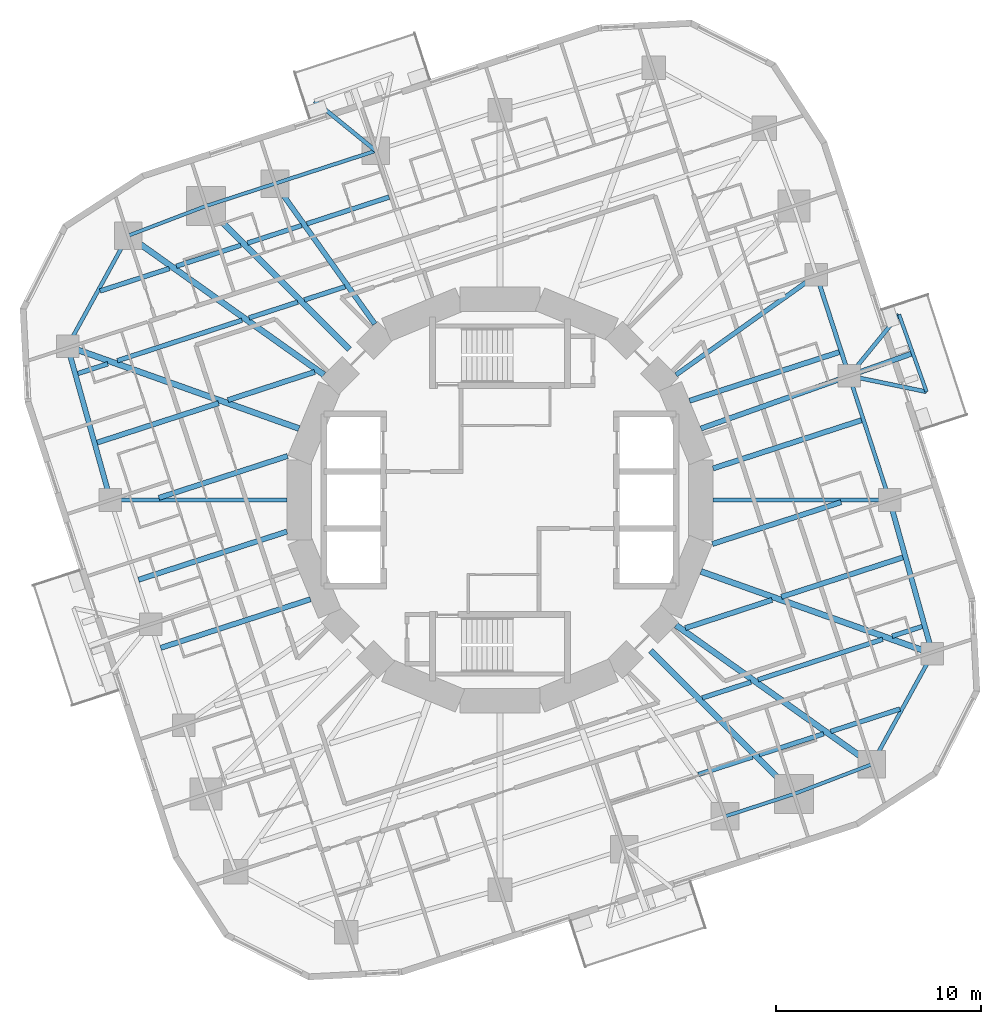
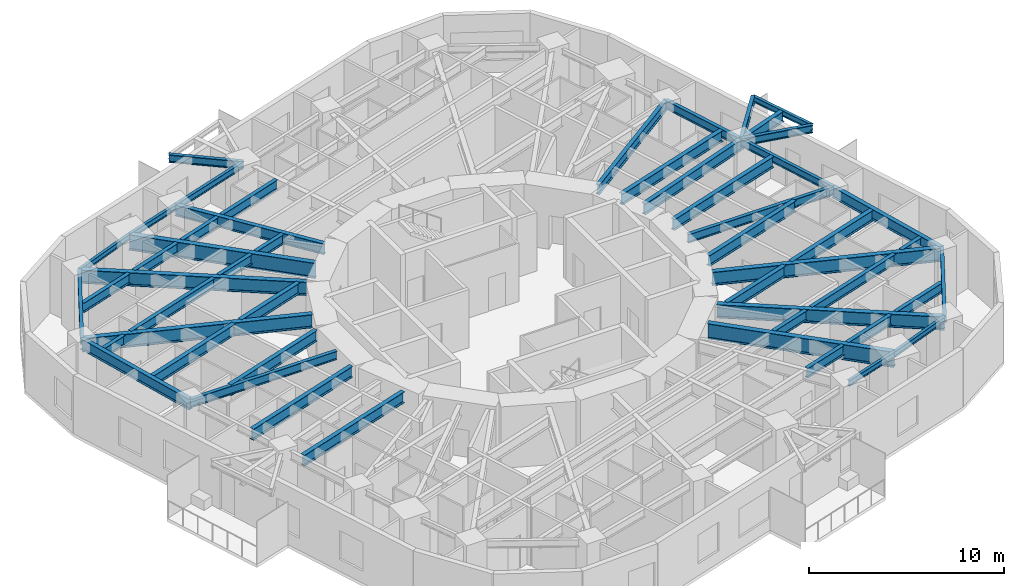
# One storey, part 2 of 13: 50 beams.
"""IFC4 building model written with IfcOpenShell, lengths in metres."""

from ifc_helpers import new_model, si_unit, direction, frame, origin, origin_2d, place, context, subcontext, project, spatial, i_section, extrude, material, material_profile, profile_set, type_object, element, save


model = new_model("IFC4")

# Units and contexts
model_context = context("Model", 3, precision=1e-05, world=origin(), true_north=direction((0.0, 1.0)))
body_context = subcontext(model_context, "Body", "Model", "MODEL_VIEW")
ifc_project = project(units=[si_unit("LENGTHUNIT", "METRE"), si_unit("AREAUNIT", "SQUARE_METRE"), si_unit("VOLUMEUNIT", "CUBIC_METRE"), si_unit("PLANEANGLEUNIT", "RADIAN"), si_unit("MASSUNIT", "GRAM", prefix="KILO")], contexts=[model_context])

# Site, building, storey
site_placement = place(None, origin())
site = spatial("IfcSite", under=ifc_project, at=site_placement, CompositionType="ELEMENT")
building_placement = place(site_placement, origin())
building = spatial("IfcBuilding", under=site, at=building_placement, Name="Nakasero Lantern House", CompositionType="ELEMENT")
storey_placement = place(building_placement, frame((0.0, 0.0, 161.050048828125)))
storey = spatial("IfcBuildingStorey", under=building, at=storey_placement, Name="L39", CompositionType="ELEMENT", Elevation=161.050048828125)

# Beams
ifc_material_1 = material(Name="Steel S355", Category="steel")
ifc_material_profile_1 = material_profile(ifc_material_1, i_section(OverallWidth=0.199462890625, OverallDepth=0.491943359375, WebThickness=0.01806640625, FlangeThickness=0.031982421875, FilletRadius=0.01025390625, at=origin_2d()), Name="UB 457x191x161")
ifc_profile_set_1 = profile_set([ifc_material_profile_1], Name="Steel S355")
beam_type_1 = type_object("IfcBeamType", Name="Balcony splay beam UB 457x191x161", PredefinedType="BEAM", material=ifc_profile_set_1)
for number, where, z_axis, x_axis, name in (
    (1, (17.060546875, 6.06591796875, 3.404052734375), (0.632127727159, 0.774864205236, 0.0), (-0.774864205236, 0.632127727159, 0.0), "Balcony splay beam L40 B4-C04A"),
    (2, (17.060546875, 6.06591796875, 3.404052734375), (0.979420272605, -0.201831438605, 0.0), (0.201831438605, 0.979420272605, 0.0), "Balcony splay beam L40 B4-C04B"),
    (3, (-6.06591796875, 17.060546875, 3.404052734375), (-0.774864205236, 0.632127727159, 0.0), (-0.632127727159, -0.774864205236, 0.0), "Balcony splay beam L40 B4-C10A"),
):
    element("IfcBeam", number, at=place(storey_placement, frame(where, z_axis=z_axis, x_axis=x_axis)), inside=storey, type_object=beam_type_1, Name=name, PredefinedType="BEAM", context=body_context, shape_type="SweptSolid", body=[
        extrude(i_section(OverallWidth=0.199462890625, OverallDepth=0.491943359375, WebThickness=0.01806640625, FlangeThickness=0.031982421875, FilletRadius=0.01025390625, at=origin_2d()), origin(), (0.0, 0.0, 1.0), 3.858642578125),
    ])
ifc_material_2 = material(Name="Steel S355", Category="steel")
ifc_material_profile_2 = material_profile(ifc_material_2, i_section(OverallWidth=0.17138671875, OverallDepth=0.35498046875, WebThickness=0.00732421875, FlangeThickness=0.011474609375, FilletRadius=0.01025390625, at=origin_2d()), Name="UB 356x171x51")
ifc_profile_set_2 = profile_set([ifc_material_profile_2], Name="Steel S355")
beam_type_2 = type_object("IfcBeamType", Name="Balcony tie beam UB 356x171x51", PredefinedType="BEAM", material=ifc_profile_set_2)
beam_1_placement = place(storey_placement, frame((19.499755859375, 9.055908203125, 3.472412109375), z_axis=(0.335025321236, -0.942209124415, 0.0), x_axis=(0.942209124415, 0.335025321236, 0.0)))
element("IfcBeam", 4, at=beam_1_placement, inside=storey, type_object=beam_type_2, Name="Balcony tie beam L40 B4-C04", PredefinedType="BEAM", context=body_context, shape_type="SweptSolid", body=[
    extrude(i_section(OverallWidth=0.17138671875, OverallDepth=0.35498046875, WebThickness=0.00732421875, FlangeThickness=0.011474609375, FilletRadius=0.01025390625, at=origin_2d()), origin(), (0.0, 0.0, 1.0), 4.0),
])
ifc_material_3 = material(Name="Steel S355", Category="steel")
ifc_material_profile_3 = material_profile(ifc_material_3, i_section(OverallWidth=0.22900390625, OverallDepth=0.6123046875, WebThickness=0.011962890625, FlangeThickness=0.01953125, FilletRadius=0.0126953125, at=origin_2d()), Name="UB 610x229x125")
ifc_profile_set_3 = profile_set([ifc_material_profile_3], Name="Steel S355")
beam_type_3 = type_object("IfcBeamType", Name="Infill beam UB 610x229x125", PredefinedType="JOIST", material=ifc_profile_set_3)
beam_2_placement = place(storey_placement, frame((9.692626953125, -13.4111328125, 3.34375), z_axis=(0.951059855583, 0.309006716915, 0.0), x_axis=(-0.309006716915, 0.951059855583, 0.0)))
element("IfcBeam", 5, at=beam_2_placement, inside=storey, type_object=beam_type_3, Name="Infill beam L40 03.5", PredefinedType="JOIST", context=body_context, shape_type="SweptSolid", body=[
    extrude(i_section(OverallWidth=0.22900390625, OverallDepth=0.6123046875, WebThickness=0.011962890625, FlangeThickness=0.01953125, FilletRadius=0.0126953125, at=origin_2d()), origin(), (0.0, 0.0, 1.0), 2.78271484375),
])
beam_3_placement = place(storey_placement, frame((12.659423828125, -12.447265625, 3.34375), z_axis=(0.951057343237, 0.309014449297, 0.0), x_axis=(-0.309014449297, 0.951057343237, 0.0)))
element("IfcBeam", 6, at=beam_3_placement, inside=storey, type_object=beam_type_3, Name="Infill beam L40 03.6", PredefinedType="JOIST", context=body_context, shape_type="SweptSolid", body=[
    extrude(i_section(OverallWidth=0.22900390625, OverallDepth=0.6123046875, WebThickness=0.011962890625, FlangeThickness=0.01953125, FilletRadius=0.0126953125, at=origin_2d()), origin(), (0.0, 0.0, 1.0), 3.314208984375),
])
beam_4_placement = place(storey_placement, frame((16.15771484375, -11.310546875, 3.34375), z_axis=(0.951052231022, 0.309030182777, 0.0), x_axis=(-0.309030182777, 0.951052231022, 0.0)))
element("IfcBeam", 7, at=beam_4_placement, inside=storey, type_object=beam_type_3, Name="Infill beam L40 03.7", PredefinedType="JOIST", context=body_context, shape_type="SweptSolid", body=[
    extrude(i_section(OverallWidth=0.22900390625, OverallDepth=0.6123046875, WebThickness=0.011962890625, FlangeThickness=0.01953125, FilletRadius=0.0126953125, at=origin_2d()), origin(), (0.0, 0.0, 1.0), 3.555908203125),
])
beam_5_placement = place(storey_placement, frame((9.8818359375, -9.669677734375, 3.34375), z_axis=(0.95105846813, 0.30901098718, 0.0), x_axis=(-0.30901098718, 0.95105846813, 0.0)))
element("IfcBeam", 8, at=beam_5_placement, inside=storey, type_object=beam_type_3, Name="Infill beam L40 04.6", PredefinedType="JOIST", context=body_context, shape_type="SweptSolid", body=[
    extrude(i_section(OverallWidth=0.22900390625, OverallDepth=0.6123046875, WebThickness=0.011962890625, FlangeThickness=0.01953125, FilletRadius=0.0126953125, at=origin_2d()), origin(), (0.0, 0.0, 1.0), 2.499755859375),
])
beam_6_placement = place(storey_placement, frame((12.605712890625, -8.78466796875, 3.34375), z_axis=(0.951048625867, 0.309041277561, 0.0), x_axis=(-0.309041277561, 0.951048625867, 0.0)))
element("IfcBeam", 9, at=beam_6_placement, inside=storey, type_object=beam_type_3, Name="Infill beam L40 04.7", PredefinedType="JOIST", context=body_context, shape_type="SweptSolid", body=[
    extrude(i_section(OverallWidth=0.22900390625, OverallDepth=0.6123046875, WebThickness=0.011962890625, FlangeThickness=0.01953125, FilletRadius=0.0126953125, at=origin_2d()), origin(), (0.0, 0.0, 1.0), 6.408447265625),
])
for number, where, z_axis, x_axis, name in (
    (10, (19.156494140625, -6.656005859375, 3.34375), (0.95105845859, 0.309011016544, 0.0), (-0.309011016544, 0.95105845859, 0.0), "Infill beam L40 04.8"),
    (11, (-20.62548828125, 6.1787109375, 3.34375), (0.95105845859, 0.309011016544, 0.0), (-0.309011016544, 0.95105845859, 0.0), "Infill beam L40 11.1"),
):
    element("IfcBeam", number, at=place(storey_placement, frame(where, z_axis=z_axis, x_axis=x_axis)), inside=storey, type_object=beam_type_3, Name=name, PredefinedType="JOIST", context=body_context, shape_type="SweptSolid", body=[
        extrude(i_section(OverallWidth=0.22900390625, OverallDepth=0.6123046875, WebThickness=0.011962890625, FlangeThickness=0.01953125, FilletRadius=0.0126953125, at=origin_2d()), origin(), (0.0, 0.0, 1.0), 1.544677734375),
    ])
beam_7_placement = place(storey_placement, frame((-18.700439453125, 6.80419921875, 3.34375), z_axis=(0.951048625867, 0.309041277561, 0.0), x_axis=(-0.309041277561, 0.951048625867, 0.0)))
element("IfcBeam", 12, at=beam_7_placement, inside=storey, type_object=beam_type_3, Name="Infill beam L40 11.2", PredefinedType="JOIST", context=body_context, shape_type="SweptSolid", body=[
    extrude(i_section(OverallWidth=0.22900390625, OverallDepth=0.6123046875, WebThickness=0.011962890625, FlangeThickness=0.01953125, FilletRadius=0.0126953125, at=origin_2d()), origin(), (0.0, 0.0, 1.0), 6.408447265625),
])
beam_8_placement = place(storey_placement, frame((-12.25927734375, 8.897216796875, 3.34375), z_axis=(0.95105846813, 0.30901098718, 0.0), x_axis=(-0.30901098718, 0.95105846813, 0.0)))
element("IfcBeam", 13, at=beam_8_placement, inside=storey, type_object=beam_type_3, Name="Infill beam L40 11.3", PredefinedType="JOIST", context=body_context, shape_type="SweptSolid", body=[
    extrude(i_section(OverallWidth=0.22900390625, OverallDepth=0.6123046875, WebThickness=0.011962890625, FlangeThickness=0.01953125, FilletRadius=0.0126953125, at=origin_2d()), origin(), (0.0, 0.0, 1.0), 2.499755859375),
])
beam_9_placement = place(storey_placement, frame((-9.5615234375, 9.773681640625, 3.34375), z_axis=(0.951053739923, 0.30902553904, 0.0), x_axis=(-0.30902553904, 0.951053739923, 0.0)))
element("IfcBeam", 14, at=beam_9_placement, inside=storey, type_object=beam_type_3, Name="Infill beam L40 11.4", PredefinedType="JOIST", context=body_context, shape_type="SweptSolid", body=[
    extrude(i_section(OverallWidth=0.22900390625, OverallDepth=0.6123046875, WebThickness=0.011962890625, FlangeThickness=0.01953125, FilletRadius=0.0126953125, at=origin_2d()), origin(), (0.0, 0.0, 1.0), 2.09765625),
])
beam_10_placement = place(storey_placement, frame((-19.53955078125, 10.211669921875, 3.34375), z_axis=(0.951052231022, 0.309030182777, 0.0), x_axis=(-0.309030182777, 0.951052231022, 0.0)))
element("IfcBeam", 15, at=beam_10_placement, inside=storey, type_object=beam_type_3, Name="Infill beam L40 12.1", PredefinedType="JOIST", context=body_context, shape_type="SweptSolid", body=[
    extrude(i_section(OverallWidth=0.22900390625, OverallDepth=0.6123046875, WebThickness=0.011962890625, FlangeThickness=0.01953125, FilletRadius=0.0126953125, at=origin_2d()), origin(), (0.0, 0.0, 1.0), 3.555908203125),
])
beam_11_placement = place(storey_placement, frame((-15.8115234375, 11.423095703125, 3.34375), z_axis=(0.951057343237, 0.309014449297, 0.0), x_axis=(-0.309014449297, 0.951057343237, 0.0)))
element("IfcBeam", 16, at=beam_11_placement, inside=storey, type_object=beam_type_3, Name="Infill beam L40 12.2", PredefinedType="JOIST", context=body_context, shape_type="SweptSolid", body=[
    extrude(i_section(OverallWidth=0.22900390625, OverallDepth=0.6123046875, WebThickness=0.011962890625, FlangeThickness=0.01953125, FilletRadius=0.0126953125, at=origin_2d()), origin(), (0.0, 0.0, 1.0), 3.314208984375),
])
beam_12_placement = place(storey_placement, frame((-12.339111328125, 12.55126953125, 3.34375), z_axis=(0.951059855583, 0.309006716915, 0.0), x_axis=(-0.309006716915, 0.951059855583, 0.0)))
element("IfcBeam", 17, at=beam_12_placement, inside=storey, type_object=beam_type_3, Name="Infill beam L40 12.3", PredefinedType="JOIST", context=body_context, shape_type="SweptSolid", body=[
    extrude(i_section(OverallWidth=0.22900390625, OverallDepth=0.6123046875, WebThickness=0.011962890625, FlangeThickness=0.01953125, FilletRadius=0.0126953125, at=origin_2d()), origin(), (0.0, 0.0, 1.0), 2.78271484375),
])
beam_13_placement = place(storey_placement, frame((-9.439697265625, 13.493408203125, 3.34375), z_axis=(0.951057398427, 0.30901427944, 0.0), x_axis=(-0.30901427944, 0.951057398427, 0.0)))
element("IfcBeam", 18, at=beam_13_placement, inside=storey, type_object=beam_type_3, Name="Infill beam L40 12.4", PredefinedType="JOIST", context=body_context, shape_type="SweptSolid", body=[
    extrude(i_section(OverallWidth=0.22900390625, OverallDepth=0.6123046875, WebThickness=0.011962890625, FlangeThickness=0.01953125, FilletRadius=0.0126953125, at=origin_2d()), origin(), (0.0, 0.0, 1.0), 4.229248046875),
])
ifc_material_4 = material(Name="Steel S355", Category="steel")
ifc_material_profile_4 = material_profile(ifc_material_4, i_section(OverallWidth=0.253662109375, OverallDepth=0.68359375, WebThickness=0.012451171875, FlangeThickness=0.01904296875, FilletRadius=0.01513671875, at=origin_2d()), Name="UB 686x254x140")
ifc_profile_set_4 = profile_set([ifc_material_profile_4], Name="Steel S355")
beam_type_4 = type_object("IfcBeamType", Name="Infill beam UB 686x254x140", PredefinedType="JOIST", material=ifc_profile_set_4)
beam_14_placement = place(storey_placement, frame((9.053466796875, -6.258544921875, 3.30810546875), z_axis=(0.951065863794, 0.308988224251, 0.0), x_axis=(-0.308988224251, 0.951065863794, 0.0)))
element("IfcBeam", 19, at=beam_14_placement, inside=storey, type_object=beam_type_4, Name="Infill beam L40 05.3", PredefinedType="JOIST", context=body_context, shape_type="SweptSolid", body=[
    extrude(i_section(OverallWidth=0.253662109375, OverallDepth=0.68359375, WebThickness=0.012451171875, FlangeThickness=0.01904296875, FilletRadius=0.01513671875, at=origin_2d()), origin(), (0.0, 0.0, 1.0), 4.45703125),
])
beam_15_placement = place(storey_placement, frame((13.74853515625, -4.733154296875, 3.30810546875), z_axis=(0.951058217804, 0.30901175762, 0.0), x_axis=(-0.30901175762, 0.951058217804, 0.0)))
element("IfcBeam", 20, at=beam_15_placement, inside=storey, type_object=beam_type_4, Name="Infill beam L40 05.4", PredefinedType="JOIST", context=body_context, shape_type="SweptSolid", body=[
    extrude(i_section(OverallWidth=0.253662109375, OverallDepth=0.68359375, WebThickness=0.012451171875, FlangeThickness=0.01904296875, FilletRadius=0.01513671875, at=origin_2d()), origin(), (0.0, 0.0, 1.0), 6.239990234375),
])
for number, where, z_axis, x_axis, name in (
    (21, (10.375244140625, -2.149169921875, 3.30810546875), (0.951051425994, 0.309032660271, 0.0), (-0.309032660271, 0.951051425994, 0.0), "Infill beam L40 06.2"),
    (22, (-16.666259765625, 0.10498046875, 3.30810546875), (0.951051425994, 0.309032660271, 0.0), (-0.309032660271, 0.951051425994, 0.0), "Infill beam L40 09.1"),
):
    element("IfcBeam", number, at=place(storey_placement, frame(where, z_axis=z_axis, x_axis=x_axis)), inside=storey, type_object=beam_type_4, Name=name, PredefinedType="JOIST", context=body_context, shape_type="SweptSolid", body=[
        extrude(i_section(OverallWidth=0.253662109375, OverallDepth=0.68359375, WebThickness=0.012451171875, FlangeThickness=0.01904296875, FilletRadius=0.01513671875, at=origin_2d()), origin(), (0.0, 0.0, 1.0), 6.61474609375),
    ])
beam_16_placement = place(storey_placement, frame((-19.68310546875, 2.804931640625, 3.30810546875), z_axis=(0.951058217804, 0.30901175762, 0.0), x_axis=(-0.30901175762, 0.951058217804, 0.0)))
element("IfcBeam", 23, at=beam_16_placement, inside=storey, type_object=beam_type_4, Name="Infill beam L40 10.1", PredefinedType="JOIST", context=body_context, shape_type="SweptSolid", body=[
    extrude(i_section(OverallWidth=0.253662109375, OverallDepth=0.68359375, WebThickness=0.012451171875, FlangeThickness=0.01904296875, FilletRadius=0.01513671875, at=origin_2d()), origin(), (0.0, 0.0, 1.0), 6.239990234375),
])
beam_17_placement = place(storey_placement, frame((-13.29248046875, 4.88134765625, 3.30810546875), z_axis=(0.951065863794, 0.308988224251, 0.0), x_axis=(-0.308988224251, 0.951065863794, 0.0)))
element("IfcBeam", 24, at=beam_17_placement, inside=storey, type_object=beam_type_4, Name="Infill beam L40 10.2", PredefinedType="JOIST", context=body_context, shape_type="SweptSolid", body=[
    extrude(i_section(OverallWidth=0.253662109375, OverallDepth=0.68359375, WebThickness=0.012451171875, FlangeThickness=0.01904296875, FilletRadius=0.01513671875, at=origin_2d()), origin(), (0.0, 0.0, 1.0), 4.45703125),
])
ifc_material_5 = material(Name="Steel S355", Category="steel")
ifc_material_profile_5 = material_profile(ifc_material_5, i_section(OverallWidth=0.255859375, OverallDepth=0.69287109375, WebThickness=0.014404296875, FlangeThickness=0.023681640625, FilletRadius=0.01513671875, at=origin_2d()), Name="UB 686x254x170")
ifc_profile_set_5 = profile_set([ifc_material_profile_5], Name="Steel S355")
beam_type_5 = type_object("IfcBeamType", Name="Infill beam UB 686x254x170", PredefinedType="JOIST", material=ifc_profile_set_5)
beam_18_placement = place(storey_placement, frame((-16.573486328125, -7.22509765625, 3.303466796875), z_axis=(0.951055290106, 0.309020768171, 0.0), x_axis=(-0.309020768171, 0.951055290106, 0.0)))
element("IfcBeam", 25, at=beam_18_placement, inside=storey, type_object=beam_type_5, Name="Infill beam L40 07.1", PredefinedType="JOIST", context=body_context, shape_type="SweptSolid", body=[
    extrude(i_section(OverallWidth=0.255859375, OverallDepth=0.69287109375, WebThickness=0.014404296875, FlangeThickness=0.023681640625, FilletRadius=0.01513671875, at=origin_2d()), origin(), (0.0, 0.0, 1.0), 7.692626953125),
])
for number, where, z_axis, x_axis, name in (
    (26, (10.407958984375, 1.541748046875, 3.303466796875), (0.95106204683, 0.308999972622, 0.0), (-0.308999972622, 0.95106204683, 0.0), "Infill beam L40 07.2"),
    (27, (-17.66455078125, -3.8994140625, 3.303466796875), (0.95106204683, 0.308999972622, 0.0), (-0.308999972622, 0.95106204683, 0.0), "Infill beam L40 08.1"),
):
    element("IfcBeam", number, at=place(storey_placement, frame(where, z_axis=z_axis, x_axis=x_axis)), inside=storey, type_object=beam_type_5, Name=name, PredefinedType="JOIST", context=body_context, shape_type="SweptSolid", body=[
        extrude(i_section(OverallWidth=0.255859375, OverallDepth=0.69287109375, WebThickness=0.014404296875, FlangeThickness=0.023681640625, FilletRadius=0.01513671875, at=origin_2d()), origin(), (0.0, 0.0, 1.0), 7.6298828125),
    ])
beam_19_placement = place(storey_placement, frame((9.25732421875, 4.847900390625, 3.303466796875), z_axis=(0.951055290106, 0.309020768171, 0.0), x_axis=(-0.309020768171, 0.951055290106, 0.0)))
element("IfcBeam", 28, at=beam_19_placement, inside=storey, type_object=beam_type_5, Name="Infill beam L40 08.2", PredefinedType="JOIST", context=body_context, shape_type="SweptSolid", body=[
    extrude(i_section(OverallWidth=0.255859375, OverallDepth=0.69287109375, WebThickness=0.014404296875, FlangeThickness=0.023681640625, FilletRadius=0.01513671875, at=origin_2d()), origin(), (0.0, 0.0, 1.0), 7.692626953125),
])
ifc_material_6 = material(Name="Steel S355", Category="steel")
ifc_material_profile_6 = material_profile(ifc_material_6, i_section(OverallWidth=0.300048828125, OverallDepth=0.97021484375, WebThickness=0.01611328125, FlangeThickness=0.02099609375, FilletRadius=0.030029296875, at=origin_2d()), Name="UB 1016x305x222")
ifc_profile_set_6 = profile_set([ifc_material_profile_6], Name="Steel S355")
beam_type_6 = type_object("IfcBeamType", Name="Primary beam UB 1016x305x222, span 9 to 12 m", PredefinedType="BEAM", material=ifc_profile_set_6)
for number, where, z_axis, x_axis, name in (
    (29, (-14.3642578125, 14.3642578125, 3.164794921875), (0.707106781187, -0.707106781187, 0.0), (0.707106781187, 0.707106781187, 0.0), "Primary beam L40 B4-C12"),
    (30, (14.3642578125, -14.3642578125, 3.164794921875), (-0.707106781187, 0.707106781187, 0.0), (-0.707106781187, -0.707106781187, 0.0), "Primary beam L40 B4-C24"),
):
    element("IfcBeam", number, at=place(storey_placement, frame(where, z_axis=z_axis, x_axis=x_axis)), inside=storey, type_object=beam_type_6, Name=name, PredefinedType="BEAM", context=body_context, shape_type="SweptSolid", body=[
        extrude(i_section(OverallWidth=0.300048828125, OverallDepth=0.97021484375, WebThickness=0.01611328125, FlangeThickness=0.02099609375, FilletRadius=0.030029296875, at=origin_2d()), origin(), (0.0, 0.0, 1.0), 9.906494140625),
    ])
ifc_material_7 = material(Name="Steel S355", Category="steel")
ifc_material_profile_7 = material_profile(ifc_material_7, i_section(OverallWidth=0.2099609375, OverallDepth=0.53662109375, WebThickness=0.0107421875, FlangeThickness=0.017333984375, FilletRadius=0.0126953125, at=origin_2d()), Name="UB 533x210x101")
ifc_profile_set_7 = profile_set([ifc_material_profile_7], Name="Steel S355")
beam_type_7 = type_object("IfcBeamType", Name="Primary beam UB 533x210x101, span 6 to 9 m", PredefinedType="BEAM", material=ifc_profile_set_7)
for number, where, z_axis, x_axis, name in (
    (31, (19.031494140625, 0.0, 3.381591796875), (-1.0, 0.0, 0.0), (0.0, -1.0, 0.0), "Primary beam L40 B4-C03"),
    (32, (-19.031494140625, 0.0, 3.381591796875), (1.0, 0.0, 0.0), (0.0, 1.0, 0.0), "Primary beam L40 B4-C15"),
):
    element("IfcBeam", number, at=place(storey_placement, frame(where, z_axis=z_axis, x_axis=x_axis)), inside=storey, type_object=beam_type_7, Name=name, PredefinedType="BEAM", context=body_context, shape_type="SweptSolid", body=[
        extrude(i_section(OverallWidth=0.2099609375, OverallDepth=0.53662109375, WebThickness=0.0107421875, FlangeThickness=0.017333984375, FilletRadius=0.0126953125, at=origin_2d()), origin(), (0.0, 0.0, 1.0), 8.62353515625),
    ])
ifc_material_8 = material(Name="Steel S355", Category="steel")
ifc_material_profile_8 = material_profile(ifc_material_8, i_section(OverallWidth=0.22900390625, OverallDepth=0.6123046875, WebThickness=0.011962890625, FlangeThickness=0.01953125, FilletRadius=0.0126953125, at=origin_2d()), Name="UB 610x229x125")
ifc_profile_set_8 = profile_set([ifc_material_profile_8], Name="Steel S355")
beam_type_8 = type_object("IfcBeamType", Name="Primary beam UB 610x229x125, span 6 to 9 m", PredefinedType="BEAM", material=ifc_profile_set_8)
beam_20_placement = place(storey_placement, frame((15.45947265625, 10.993408203125, 3.34375), z_axis=(-0.81495106139, -0.579529781409, 0.0), x_axis=(0.579529781409, -0.81495106139, 0.0)))
element("IfcBeam", 33, at=beam_20_placement, inside=storey, type_object=beam_type_8, Name="Primary beam L40 B4-C05", PredefinedType="BEAM", context=body_context, shape_type="SweptSolid", body=[
    extrude(i_section(OverallWidth=0.22900390625, OverallDepth=0.6123046875, WebThickness=0.011962890625, FlangeThickness=0.01953125, FilletRadius=0.0126953125, at=origin_2d()), origin(), (0.0, 0.0, 1.0), 8.41455078125),
])
ifc_material_9 = material(Name="Steel S355", Category="steel")
ifc_material_profile_9 = material_profile(ifc_material_9, i_section(OverallWidth=0.253662109375, OverallDepth=0.68359375, WebThickness=0.012451171875, FlangeThickness=0.01904296875, FilletRadius=0.01513671875, at=origin_2d()), Name="UB 686x254x140")
ifc_profile_set_9 = profile_set([ifc_material_profile_9], Name="Steel S355")
beam_type_9 = type_object("IfcBeamType", Name="Primary beam UB 686x254x140, span 6 to 9 m", PredefinedType="BEAM", material=ifc_profile_set_9)
beam_21_placement = place(storey_placement, frame((20.169921875, 7.17138671875, 3.30810546875), z_axis=(-0.942215625619, -0.335007036998, 0.0), x_axis=(0.335007036998, -0.942215625619, 0.0)))
element("IfcBeam", 34, at=beam_21_placement, inside=storey, type_object=beam_type_9, Name="Primary beam L40 B4-C04", PredefinedType="BEAM", context=body_context, shape_type="SweptSolid", body=[
    extrude(i_section(OverallWidth=0.253662109375, OverallDepth=0.68359375, WebThickness=0.012451171875, FlangeThickness=0.01904296875, FilletRadius=0.01513671875, at=origin_2d()), origin(), (0.0, 0.0, 1.0), 10.9853515625),
])
beam_22_placement = place(storey_placement, frame((-10.993408203125, 15.45947265625, 3.30810546875), z_axis=(0.579529781409, -0.81495106139, 0.0), x_axis=(0.81495106139, 0.579529781409, 0.0)))
element("IfcBeam", 35, at=beam_22_placement, inside=storey, type_object=beam_type_9, Name="Primary beam L40 B4-C11", PredefinedType="BEAM", context=body_context, shape_type="SweptSolid", body=[
    extrude(i_section(OverallWidth=0.253662109375, OverallDepth=0.68359375, WebThickness=0.012451171875, FlangeThickness=0.01904296875, FilletRadius=0.01513671875, at=origin_2d()), origin(), (0.0, 0.0, 1.0), 8.41455078125),
])
ifc_material_10 = material(Name="Steel S355", Category="steel")
ifc_material_profile_10 = material_profile(ifc_material_10, i_section(OverallWidth=0.29248046875, OverallDepth=0.8408203125, WebThickness=0.0146484375, FlangeThickness=0.02685546875, FilletRadius=0.017822265625, at=origin_2d()), Name="UB 838x292x194")
ifc_profile_set_10 = profile_set([ifc_material_profile_10], Name="Steel S355")
beam_type_10 = type_object("IfcBeamType", Name="Primary beam UB 838x292x194, span 12 to 15 m", PredefinedType="BEAM", material=ifc_profile_set_10)
for number, where, z_axis, x_axis, name in (
    (36, (21.129638671875, -7.5126953125, 3.2294921875), (-0.942213548974, 0.335012877559, 0.0), (-0.335012877559, -0.942213548974, 0.0), "Primary beam L40 B4-C02"),
    (37, (-21.129638671875, 7.5126953125, 3.2294921875), (0.942213548974, -0.335012877559, 0.0), (0.335012877559, 0.942213548974, 0.0), "Primary beam L40 B4-C14"),
):
    element("IfcBeam", number, at=place(storey_placement, frame(where, z_axis=z_axis, x_axis=x_axis)), inside=storey, type_object=beam_type_10, Name=name, PredefinedType="BEAM", context=body_context, shape_type="SweptSolid", body=[
        extrude(i_section(OverallWidth=0.29248046875, OverallDepth=0.8408203125, WebThickness=0.0146484375, FlangeThickness=0.02685546875, FilletRadius=0.017822265625, at=origin_2d()), origin(), (0.0, 0.0, 1.0), 12.00390625),
    ])
ifc_material_11 = material(Name="Steel S355", Category="steel")
ifc_material_profile_11 = material_profile(ifc_material_11, i_section(OverallWidth=0.29248046875, OverallDepth=0.8408203125, WebThickness=0.0146484375, FlangeThickness=0.02685546875, FilletRadius=0.017822265625, at=origin_2d()), Name="UB 838x292x194")
ifc_profile_set_11 = profile_set([ifc_material_profile_11], Name="Steel S355")
beam_type_11 = type_object("IfcBeamType", Name="Primary beam UB 838x292x194, span 9 to 12 m", PredefinedType="BEAM", material=ifc_profile_set_11)
for number, where, z_axis, x_axis, name in (
    (38, (18.1630859375, -12.916015625, 3.2294921875), (-0.814950738075, 0.579530236062, 0.0), (-0.579530236062, -0.814950738075, 0.0), "Primary beam L40 B4-C01"),
    (39, (-18.1630859375, 12.916015625, 3.2294921875), (0.814950738075, -0.579530236062, 0.0), (0.579530236062, 0.814950738075, 0.0), "Primary beam L40 B4-C13"),
):
    element("IfcBeam", number, at=place(storey_placement, frame(where, z_axis=z_axis, x_axis=x_axis)), inside=storey, type_object=beam_type_11, Name=name, PredefinedType="BEAM", context=body_context, shape_type="SweptSolid", body=[
        extrude(i_section(OverallWidth=0.29248046875, OverallDepth=0.8408203125, WebThickness=0.0146484375, FlangeThickness=0.02685546875, FilletRadius=0.017822265625, at=origin_2d()), origin(), (0.0, 0.0, 1.0), 11.73193359375),
    ])
ifc_material_12 = material(Name="Steel S355", Category="steel")
ifc_material_profile_12 = material_profile(ifc_material_12, i_section(OverallWidth=0.17138671875, OverallDepth=0.35498046875, WebThickness=0.00732421875, FlangeThickness=0.011474609375, FilletRadius=0.01025390625, at=origin_2d()), Name="UB 356x171x51")
ifc_profile_set_12 = profile_set([ifc_material_profile_12], Name="Steel S355")
beam_type_12 = type_object("IfcBeamType", Name="Ring beam UB 356x171x51", PredefinedType="BEAM", material=ifc_profile_set_12)
beam_23_placement = place(storey_placement, frame((-10.993408203125, 15.45947265625, 3.472412109375), z_axis=(-0.951059881727, -0.309006636447, 0.0), x_axis=(0.309006636447, -0.951059881727, 0.0)))
element("IfcBeam", 40, at=beam_23_placement, inside=storey, type_object=beam_type_12, Name="Ring beam L40 B4-C11", PredefinedType="BEAM", context=body_context, shape_type="SweptSolid", body=[
    extrude(i_section(OverallWidth=0.17138671875, OverallDepth=0.35498046875, WebThickness=0.00732421875, FlangeThickness=0.011474609375, FilletRadius=0.01025390625, at=origin_2d()), origin(), (0.0, 0.0, 1.0), 3.544189453125),
])
beam_24_placement = place(storey_placement, frame((-14.3642578125, 14.3642578125, 3.472412109375), z_axis=(-0.934400186194, -0.35622505813, 0.0), x_axis=(0.35622505813, -0.934400186194, 0.0)))
element("IfcBeam", 41, at=beam_24_placement, inside=storey, type_object=beam_type_12, Name="Ring beam L40 B4-C12", PredefinedType="BEAM", context=body_context, shape_type="SweptSolid", body=[
    extrude(i_section(OverallWidth=0.17138671875, OverallDepth=0.35498046875, WebThickness=0.00732421875, FlangeThickness=0.011474609375, FilletRadius=0.01025390625, at=origin_2d()), origin(), (0.0, 0.0, 1.0), 4.0654296875),
])
beam_25_placement = place(storey_placement, frame((10.993408203125, -15.45947265625, 3.472412109375), z_axis=(0.951059881727, 0.309006636447, 0.0), x_axis=(-0.309006636447, 0.951059881727, 0.0)))
element("IfcBeam", 42, at=beam_25_placement, inside=storey, type_object=beam_type_12, Name="Ring beam L40 B4-C23", PredefinedType="BEAM", context=body_context, shape_type="SweptSolid", body=[
    extrude(i_section(OverallWidth=0.17138671875, OverallDepth=0.35498046875, WebThickness=0.00732421875, FlangeThickness=0.011474609375, FilletRadius=0.01025390625, at=origin_2d()), origin(), (0.0, 0.0, 1.0), 3.544189453125),
])
beam_26_placement = place(storey_placement, frame((14.3642578125, -14.3642578125, 3.472412109375), z_axis=(0.934400186194, 0.35622505813, 0.0), x_axis=(-0.35622505813, 0.934400186194, 0.0)))
element("IfcBeam", 43, at=beam_26_placement, inside=storey, type_object=beam_type_12, Name="Ring beam L40 B4-C24", PredefinedType="BEAM", context=body_context, shape_type="SweptSolid", body=[
    extrude(i_section(OverallWidth=0.17138671875, OverallDepth=0.35498046875, WebThickness=0.00732421875, FlangeThickness=0.011474609375, FilletRadius=0.01025390625, at=origin_2d()), origin(), (0.0, 0.0, 1.0), 4.0654296875),
])
ifc_material_13 = material(Name="Steel S355", Category="steel")
ifc_material_profile_13 = material_profile(ifc_material_13, i_section(OverallWidth=0.177978515625, OverallDepth=0.406494140625, WebThickness=0.0078125, FlangeThickness=0.0126953125, FilletRadius=0.01025390625, at=origin_2d()), Name="UB 406x178x60")
ifc_profile_set_13 = profile_set([ifc_material_profile_13], Name="Steel S355")
beam_type_13 = type_object("IfcBeamType", Name="Ring beam UB 406x178x60", PredefinedType="BEAM", material=ifc_profile_set_13)
beam_27_placement = place(storey_placement, frame((-6.06591796875, 17.060546875, 3.44677734375), z_axis=(-0.95105449754, -0.309023207396, 0.0), x_axis=(0.309023207396, -0.95105449754, 0.0)))
element("IfcBeam", 44, at=beam_27_placement, inside=storey, type_object=beam_type_13, Name="Ring beam L40 B4-C10", PredefinedType="BEAM", context=body_context, shape_type="SweptSolid", body=[
    extrude(i_section(OverallWidth=0.177978515625, OverallDepth=0.406494140625, WebThickness=0.0078125, FlangeThickness=0.0126953125, FilletRadius=0.01025390625, at=origin_2d()), origin(), (0.0, 0.0, 1.0), 5.18115234375),
])
ifc_material_14 = material(Name="Steel S355", Category="steel")
ifc_material_profile_14 = material_profile(ifc_material_14, i_section(OverallWidth=0.18994140625, OverallDepth=0.453369140625, WebThickness=0.008544921875, FlangeThickness=0.0126953125, FilletRadius=0.01025390625, at=origin_2d()), Name="UB 457x191x67")
ifc_profile_set_14 = profile_set([ifc_material_profile_14], Name="Steel S355")
beam_type_14 = type_object("IfcBeamType", Name="Ring beam UB 457x191x67", PredefinedType="BEAM", material=ifc_profile_set_14)
beam_28_placement = place(storey_placement, frame((18.1630859375, -12.916015625, 3.42333984375), z_axis=(0.481261795861, 0.876576912681, 0.0), x_axis=(-0.876576912681, 0.481261795861, 0.0)))
element("IfcBeam", 45, at=beam_28_placement, inside=storey, type_object=beam_type_14, Name="Ring beam L40 B4-C01", PredefinedType="BEAM", context=body_context, shape_type="SweptSolid", body=[
    extrude(i_section(OverallWidth=0.18994140625, OverallDepth=0.453369140625, WebThickness=0.008544921875, FlangeThickness=0.0126953125, FilletRadius=0.01025390625, at=origin_2d()), origin(), (0.0, 0.0, 1.0), 6.1640625),
])
beam_29_placement = place(storey_placement, frame((19.031494140625, 0.0, 3.42333984375), z_axis=(-0.309018560274, 0.951056007502, 0.0), x_axis=(-0.951056007502, -0.309018560274, 0.0)))
element("IfcBeam", 46, at=beam_29_placement, inside=storey, type_object=beam_type_14, Name="Ring beam L40 B4-C03", PredefinedType="BEAM", context=body_context, shape_type="SweptSolid", body=[
    extrude(i_section(OverallWidth=0.18994140625, OverallDepth=0.453369140625, WebThickness=0.008544921875, FlangeThickness=0.0126953125, FilletRadius=0.01025390625, at=origin_2d()), origin(), (0.0, 0.0, 1.0), 6.378173828125),
])
beam_30_placement = place(storey_placement, frame((-18.1630859375, 12.916015625, 3.42333984375), z_axis=(-0.481261795861, -0.876576912681, 0.0), x_axis=(0.876576912681, -0.481261795861, 0.0)))
element("IfcBeam", 47, at=beam_30_placement, inside=storey, type_object=beam_type_14, Name="Ring beam L40 B4-C13", PredefinedType="BEAM", context=body_context, shape_type="SweptSolid", body=[
    extrude(i_section(OverallWidth=0.18994140625, OverallDepth=0.453369140625, WebThickness=0.008544921875, FlangeThickness=0.0126953125, FilletRadius=0.01025390625, at=origin_2d()), origin(), (0.0, 0.0, 1.0), 6.1640625),
])
ifc_material_15 = material(Name="Steel S355", Category="steel")
ifc_material_profile_15 = material_profile(ifc_material_15, i_section(OverallWidth=0.2099609375, OverallDepth=0.53662109375, WebThickness=0.0107421875, FlangeThickness=0.017333984375, FilletRadius=0.0126953125, at=origin_2d()), Name="UB 533x210x101")
ifc_profile_set_15 = profile_set([ifc_material_profile_15], Name="Steel S355")
beam_type_15 = type_object("IfcBeamType", Name="Ring beam UB 533x210x101", PredefinedType="BEAM", material=ifc_profile_set_15)
beam_31_placement = place(storey_placement, frame((17.060546875, 6.06591796875, 3.381591796875), z_axis=(-0.309023207396, 0.95105449754, 0.0), x_axis=(-0.95105449754, -0.309023207396, 0.0)))
element("IfcBeam", 48, at=beam_31_placement, inside=storey, type_object=beam_type_15, Name="Ring beam L40 B4-C04", PredefinedType="BEAM", context=body_context, shape_type="SweptSolid", body=[
    extrude(i_section(OverallWidth=0.2099609375, OverallDepth=0.53662109375, WebThickness=0.0107421875, FlangeThickness=0.017333984375, FilletRadius=0.0126953125, at=origin_2d()), origin(), (0.0, 0.0, 1.0), 5.18115234375),
])
ifc_material_16 = material(Name="Steel S355", Category="steel")
ifc_material_profile_16 = material_profile(ifc_material_16, i_section(OverallWidth=0.253662109375, OverallDepth=0.68359375, WebThickness=0.012451171875, FlangeThickness=0.01904296875, FilletRadius=0.01513671875, at=origin_2d()), Name="UB 686x254x140")
ifc_profile_set_16 = profile_set([ifc_material_profile_16], Name="Steel S355")
beam_type_16 = type_object("IfcBeamType", Name="Ring beam UB 686x254x140", PredefinedType="BEAM", material=ifc_profile_set_16)
for number, where, z_axis, x_axis, name in (
    (49, (21.129638671875, -7.5126953125, 3.30810546875), (-0.268986696047, 0.963143892339, 0.0), (-0.963143892339, -0.268986696047, 0.0), "Ring beam L40 B4-C02"),
    (50, (-21.129638671875, 7.5126953125, 3.30810546875), (0.268986696047, -0.963143892339, 0.0), (0.963143892339, 0.268986696047, 0.0), "Ring beam L40 B4-C14"),
):
    element("IfcBeam", number, at=place(storey_placement, frame(where, z_axis=z_axis, x_axis=x_axis)), inside=storey, type_object=beam_type_16, Name=name, PredefinedType="BEAM", context=body_context, shape_type="SweptSolid", body=[
        extrude(i_section(OverallWidth=0.253662109375, OverallDepth=0.68359375, WebThickness=0.012451171875, FlangeThickness=0.01904296875, FilletRadius=0.01513671875, at=origin_2d()), origin(), (0.0, 0.0, 1.0), 7.80029296875),
    ])

save(model, "model.ifc")
